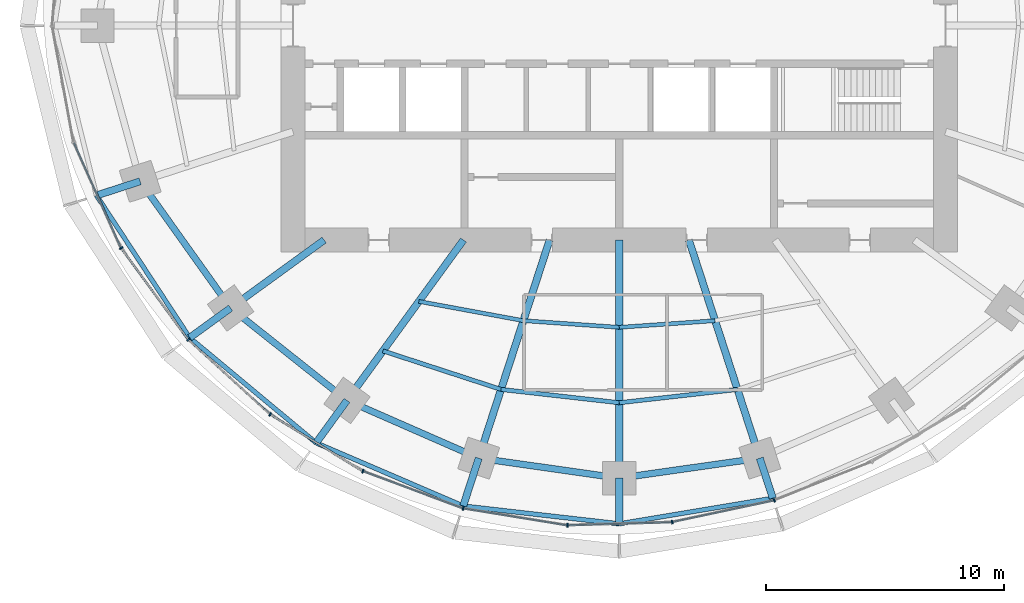
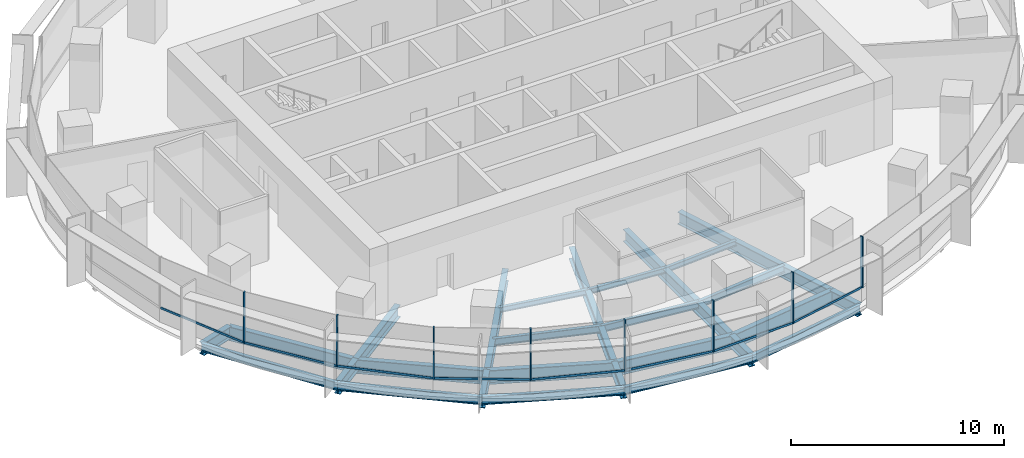
# One storey, part 2 of 14: 27 beams, 16 members, 2 elements without a shape of their own.
"""IFC4 building model written with IfcOpenShell, lengths in metres."""

import ifcopenshell
import ifcopenshell.guid

model = None  # the IFC model being written
_history = None  # IfcOwnerHistory: only IFC2X3 demands one
_inside = {}  # id of a spatial element -> (the spatial element, [elements in it])
_under = {}  # id of a project, library or spatial element -> (it, [spatial elements below it])
_declared = {}  # id of a project -> (the project, [libraries it declares])
_typed = {}  # id of a type object -> (the type object, [elements of that type])
_made_of = {}  # id of a material, layer set ... -> (it, [elements and type objects made of it])


def new_model(schema):
    """Start an empty IFC model of exactly this schema.

    Asked for "IFC4X3", IfcOpenShell would pick the latest addendum, in which some entities
    have other attributes; the version numbers below select the first issue.
    IFC2X3 requires an IfcOwnerHistory on every rooted entity: one is made here for all.
    """
    global model, _history
    if schema == "IFC4X3":
        model = ifcopenshell.file(schema_version=(4, 3, 0, 0))
    else:
        model = ifcopenshell.file(schema=schema)
    _inside.clear()
    _under.clear()
    _declared.clear()
    _typed.clear()
    _made_of.clear()
    _history = None
    if model.schema == "IFC2X3":
        org = make("IfcOrganization", Name="unknown")
        user = make(
            "IfcPersonAndOrganization",
            ThePerson=make("IfcPerson", FamilyName="unknown"),
            TheOrganization=org,
        )
        app = make(
            "IfcApplication",
            ApplicationDeveloper=org,
            Version="unknown",
            ApplicationFullName="unknown",
            ApplicationIdentifier="unknown",
        )
        _history = make(
            "IfcOwnerHistory",
            OwningUser=user,
            OwningApplication=app,
            ChangeAction="ADDED",
            CreationDate=0,
        )
    return model


def make(cls, **values):
    """One entity of the class cls with the attributes given. An attribute that is None is left unset."""
    return model.create_entity(
        cls, **{name: value for name, value in values.items() if value is not None}
    )


def rooted(cls, **values):
    """An entity with a GlobalId (a new one), such as an element, a storey or a relation."""
    return make(cls, GlobalId=ifcopenshell.guid.new(), OwnerHistory=_history, **values)


def si_unit(unit_type, name, prefix=None):
    """IfcSIUnit, for example si_unit("LENGTHUNIT", "METRE", prefix="MILLI")."""
    return make("IfcSIUnit", UnitType=unit_type, Prefix=prefix, Name=name)


def assignment(units):
    """IfcUnitAssignment: the units of a project."""
    return None if units is None else make("IfcUnitAssignment", Units=units)


def point(xyz):
    """IfcCartesianPoint."""
    return None if xyz is None else make("IfcCartesianPoint", Coordinates=xyz)


def direction(xyz):
    """IfcDirection."""
    return None if xyz is None else make("IfcDirection", DirectionRatios=xyz)


def frame(location, z_axis=None, x_axis=None):
    """IfcAxis2Placement3D, a coordinate frame: its origin and axes. An axis left out is left unset."""
    return make(
        "IfcAxis2Placement3D",
        Location=point(location),
        Axis=direction(z_axis),
        RefDirection=direction(x_axis),
    )


def frame_2d(location, x_axis=None):
    """IfcAxis2Placement2D, a coordinate frame in the plane: its origin and x axis."""
    return make(
        "IfcAxis2Placement2D", Location=point(location), RefDirection=direction(x_axis)
    )


def origin():
    """The frame at (0, 0, 0) with its axes left unset."""
    return frame((0.0, 0.0, 0.0))


def origin_2d():
    """The frame at (0, 0) in the plane with its x axis left unset."""
    return frame_2d((0.0, 0.0))


def place(relative_to, where):
    """IfcLocalPlacement: puts the frame where relative to a parent placement (None: the world)."""
    return make(
        "IfcLocalPlacement", PlacementRelTo=relative_to, RelativePlacement=where
    )


def context(
    kind, dimensions, precision=None, world=None, true_north=None, identifier=None
):
    """IfcGeometricRepresentationContext, for example the 3D "Model" context."""
    return make(
        "IfcGeometricRepresentationContext",
        ContextIdentifier=identifier,
        ContextType=kind,
        CoordinateSpaceDimension=dimensions,
        Precision=precision,
        WorldCoordinateSystem=world,
        TrueNorth=true_north,
    )


def subcontext(parent, identifier, kind, view, scale=None):
    """IfcGeometricRepresentationSubContext, for example "Body" below "Model"."""
    return make(
        "IfcGeometricRepresentationSubContext",
        ContextIdentifier=identifier,
        ContextType=kind,
        ParentContext=parent,
        TargetScale=scale,
        TargetView=view,
    )


def project(units=None, contexts=None):
    """IfcProject with its units and contexts."""
    return rooted(
        "IfcProject",
        Name="project",
        RepresentationContexts=contexts,
        UnitsInContext=assignment(units),
    )


def spatial(cls, under=None, at=None, **own):
    """A site, building, storey or space (cls), placed at a placement, below another one or the project."""
    s = rooted(cls, ObjectPlacement=at, **own)
    if under is not None:
        _under.setdefault(under.id(), (under, []))[1].append(s)
    return s


def profile(cls, at=None, kind="AREA", **sizes):
    """A parametric profile (cls). Its sizes go by their IFC names, for example OverallWidth=200.0."""
    return make(cls, ProfileType=kind, Position=at, **sizes)


def rectangle(**sizes):
    """IfcRectangleProfileDef."""
    return profile("IfcRectangleProfileDef", **sizes)


def i_section(**sizes):
    """IfcIShapeProfileDef."""
    return profile("IfcIShapeProfileDef", **sizes)


def extrude(swept, where, along, depth):
    """IfcExtrudedAreaSolid: the profile swept, set in the frame where, extruded along a direction by depth."""
    return make(
        "IfcExtrudedAreaSolid",
        SweptArea=swept,
        Position=where,
        ExtrudedDirection=direction(along),
        Depth=depth,
    )


def shape(context_of_items, identifier, shape_type, items):
    """IfcShapeRepresentation: the items that make up one representation, for example the "Body"."""
    return make(
        "IfcShapeRepresentation",
        ContextOfItems=context_of_items,
        RepresentationIdentifier=identifier,
        RepresentationType=shape_type,
        Items=items,
    )


def material(Name=None, Category=None):
    """IfcMaterial."""
    return make("IfcMaterial", Name=Name, Category=Category)


def material_profile(
    of_material, cross_section, Name=None, Category=None, Priority=None
):
    """IfcMaterialProfile: a cross section and its material."""
    return make(
        "IfcMaterialProfile",
        Name=Name,
        Material=of_material,
        Profile=cross_section,
        Priority=Priority,
        Category=Category,
    )


def profile_set(profiles, Name=None, composite=None):
    """IfcMaterialProfileSet."""
    return make(
        "IfcMaterialProfileSet",
        Name=Name,
        MaterialProfiles=profiles,
        CompositeProfile=composite,
    )


def made_of(thing, what):
    """Note that an element or type object is made of a material, layer set ...; save() writes the relation."""
    if what is not None:
        _made_of.setdefault(what.id(), (what, []))[1].append(thing)
    return thing


def type_object(cls, material=None, **own):
    """A type object (cls), such as IfcWallType, which elements share."""
    return made_of(rooted(cls, **own), material)


def element(
    cls,
    number,
    at=None,
    inside=None,
    cuts=None,
    type_object=None,
    material=None,
    context=None,
    identifier="Body",
    shape_type=None,
    held_by="IfcProductDefinitionShape",
    body=None,
    shapes=None,
    **own,
):
    """One element of the class cls, such as IfcWall. Its Tag is "e" and its number.

    at: its placement. inside: the storey or other place that contains it. cuts: it is an
    opening in that element (IfcRelVoidsElement). A single representation is given by context,
    identifier, shape_type and body (its items); several are given by shapes. held_by: the class
    of the entity that holds the representations. save() writes the other relations.
    """
    e = rooted(cls, Tag="e%d" % number, ObjectPlacement=at, **own)
    if body is not None:
        shapes = [shape(context, identifier, shape_type, body)]
    if shapes is not None:
        e.Representation = make(held_by, Representations=shapes)
    if inside is not None:
        _inside.setdefault(inside.id(), (inside, []))[1].append(e)
    if cuts is not None:
        rooted(
            "IfcRelVoidsElement", RelatingBuildingElement=cuts, RelatedOpeningElement=e
        )
    if type_object is not None:
        _typed.setdefault(type_object.id(), (type_object, []))[1].append(e)
    return made_of(e, material)


def aggregate(whole, parts):
    """IfcRelAggregates: a whole, such as a stair, and the parts it consists of."""
    return rooted("IfcRelAggregates", RelatingObject=whole, RelatedObjects=parts)


def save(model, path):
    """Write the relations noted so far, then the file.

    IfcRelAggregates (storeys below a building ...), IfcRelContainedInSpatialStructure (elements
    in a storey), IfcRelDefinesByType, IfcRelAssociatesMaterial and IfcRelDeclares: one each for
    every whole, place, type object, material and project.
    """
    for whole, parts in _under.values():
        aggregate(whole, parts)
    for where, things in _inside.values():
        rooted(
            "IfcRelContainedInSpatialStructure",
            RelatedElements=things,
            RelatingStructure=where,
        )
    for kind, things in _typed.values():
        rooted("IfcRelDefinesByType", RelatedObjects=things, RelatingType=kind)
    for what, things in _made_of.values():
        rooted("IfcRelAssociatesMaterial", RelatedObjects=things, RelatingMaterial=what)
    for by, libraries in _declared.values():
        rooted("IfcRelDeclares", RelatingContext=by, RelatedDefinitions=libraries)
    model.write(path)


model = new_model("IFC4")

# Units and contexts
model_context = context("Model", 3, precision=1e-05, world=origin(), true_north=direction((0.0, 1.0)))
body_context = subcontext(model_context, "Body", "Model", "MODEL_VIEW")
ifc_project = project(units=[si_unit("LENGTHUNIT", "METRE"), si_unit("AREAUNIT", "SQUARE_METRE"), si_unit("VOLUMEUNIT", "CUBIC_METRE"), si_unit("PLANEANGLEUNIT", "RADIAN"), si_unit("MASSUNIT", "GRAM", prefix="KILO")], contexts=[model_context])

# Site, building, storey
site_placement = place(None, origin())
site = spatial("IfcSite", under=ifc_project, at=site_placement, CompositionType="ELEMENT")
building_placement = place(site_placement, origin())
building = spatial("IfcBuilding", under=site, at=building_placement, Name="Marramba Exchange Tower", CompositionType="ELEMENT")
storey_placement = place(building_placement, frame((0.0, 0.0, 215.0)))
storey = spatial("IfcBuildingStorey", under=building, at=storey_placement, Name="L52", CompositionType="ELEMENT", Elevation=215.0)

# Beams
ifc_material_1 = material(Name="Steel AS/NZS 3679.2 grade 300", Category="steel")
ifc_material_profile_1 = material_profile(ifc_material_1, i_section(OverallWidth=0.300048828125, OverallDepth=0.699951171875, WebThickness=0.010009765625, FlangeThickness=0.031982421875, at=origin_2d()), Name="700WB173")
ifc_profile_set_1 = profile_set([ifc_material_profile_1], Name="Steel AS/NZS 3679.2 grade 300")
beam_type_1 = type_object("IfcBeamType", Name="Cantilever girder 700WB173", PredefinedType="BEAM", material=ifc_profile_set_1)
beam_1_placement = place(storey_placement, frame((-20.109375, -6.533935546875, -0.510009765625), z_axis=(-0.951071238541, -0.308971680287, 0.0), x_axis=(0.308971680287, -0.951071238541, 0.0)))
element("IfcBeam", 1, at=beam_1_placement, inside=storey, type_object=beam_type_1, Name="Cantilever girder L52 TC12", PredefinedType="BEAM", context=body_context, shape_type="SweptSolid", body=[
    extrude(i_section(OverallWidth=0.300048828125, OverallDepth=0.699951171875, WebThickness=0.010009765625, FlangeThickness=0.031982421875, at=origin_2d()), origin(), (0.0, 0.0, 1.0), 1.930419921875),
])
beam_2_placement = place(storey_placement, frame((-16.3154296875, -11.853759765625, -0.510009765625), z_axis=(-0.808969966943, -0.587849974555, 0.0), x_axis=(0.587849974555, -0.808969966943, 0.0)))
element("IfcBeam", 2, at=beam_2_placement, inside=storey, type_object=beam_type_1, Name="Cantilever girder L52 TC13", PredefinedType="BEAM", context=body_context, shape_type="SweptSolid", body=[
    extrude(i_section(OverallWidth=0.300048828125, OverallDepth=0.699951171875, WebThickness=0.010009765625, FlangeThickness=0.031982421875, at=origin_2d()), origin(), (0.0, 0.0, 1.0), 2.12109375),
])
beam_3_placement = place(storey_placement, frame((-11.430419921875, -15.732666015625, -0.510009765625), z_axis=(-0.587789596657, -0.809013837992, 0.0), x_axis=(0.809013837992, -0.587789596657, 0.0)))
element("IfcBeam", 3, at=beam_3_placement, inside=storey, type_object=beam_type_1, Name="Cantilever girder L52 TC14", PredefinedType="BEAM", context=body_context, shape_type="SweptSolid", body=[
    extrude(i_section(OverallWidth=0.300048828125, OverallDepth=0.699951171875, WebThickness=0.010009765625, FlangeThickness=0.031982421875, at=origin_2d()), origin(), (0.0, 0.0, 1.0), 2.203857421875),
])
beam_4_placement = place(storey_placement, frame((-5.899658203125, -18.156982421875, -0.510009765625), z_axis=(-0.308971068529, -0.951071437281, 0.0), x_axis=(0.951071437281, -0.308971068529, 0.0)))
element("IfcBeam", 4, at=beam_4_placement, inside=storey, type_object=beam_type_1, Name="Cantilever girder L52 TC15", PredefinedType="BEAM", context=body_context, shape_type="SweptSolid", body=[
    extrude(i_section(OverallWidth=0.300048828125, OverallDepth=0.699951171875, WebThickness=0.010009765625, FlangeThickness=0.031982421875, at=origin_2d()), origin(), (0.0, 0.0, 1.0), 2.112060546875),
])
beam_5_placement = place(storey_placement, frame((0.0, -18.99609375, -0.510009765625), z_axis=(0.0, -1.0, 0.0), x_axis=(1.0, 0.0, 0.0)))
element("IfcBeam", 5, at=beam_5_placement, inside=storey, type_object=beam_type_1, Name="Cantilever girder L52 TC16", PredefinedType="BEAM", context=body_context, shape_type="SweptSolid", body=[
    extrude(i_section(OverallWidth=0.300048828125, OverallDepth=0.699951171875, WebThickness=0.010009765625, FlangeThickness=0.031982421875, at=origin_2d()), origin(), (0.0, 0.0, 1.0), 1.917724609375),
])
beam_6_placement = place(storey_placement, frame((5.899658203125, -18.156982421875, -0.510009765625), z_axis=(0.308926813415, -0.951085813138, 0.0), x_axis=(0.951085813138, 0.308926813415, 0.0)))
element("IfcBeam", 6, at=beam_6_placement, inside=storey, type_object=beam_type_1, Name="Cantilever girder L52 TC17", PredefinedType="BEAM", context=body_context, shape_type="SweptSolid", body=[
    extrude(i_section(OverallWidth=0.300048828125, OverallDepth=0.699951171875, WebThickness=0.010009765625, FlangeThickness=0.031982421875, at=origin_2d()), origin(), (0.0, 0.0, 1.0), 1.767822265625),
])
ifc_material_2 = material(Name="Steel AS/NZS 3679.1 grade 300", Category="steel")
ifc_material_profile_2 = material_profile(ifc_material_2, i_section(OverallWidth=0.166015625, OverallDepth=0.306884765625, WebThickness=0.006591796875, FlangeThickness=0.01171875, FilletRadius=0.011474609375, at=origin_2d()), Name="310UB46.2")
ifc_profile_set_2 = profile_set([ifc_material_profile_2], Name="Steel AS/NZS 3679.1 grade 300")
beam_type_2 = type_object("IfcBeamType", Name="Floor joist 310UB46.2", PredefinedType="JOIST", material=ifc_profile_set_2)
beam_7_placement = place(storey_placement, frame((-8.41162109375, -11.57763671875, -0.3134765625), z_axis=(0.983455754421, -0.181148500119, 0.0), x_axis=(0.181148500119, 0.983455754421, 0.0)))
element("IfcBeam", 7, at=beam_7_placement, inside=storey, type_object=beam_type_2, Name="Joist L52 bay 14 row 1", PredefinedType="JOIST", context=body_context, shape_type="SweptSolid", body=[
    extrude(i_section(OverallWidth=0.166015625, OverallDepth=0.306884765625, WebThickness=0.006591796875, FlangeThickness=0.01171875, FilletRadius=0.011474609375, at=origin_2d()), origin(), (0.0, 0.0, 1.0), 4.4609375),
])
for number, where, z_axis, x_axis, name in (
    (8, (-4.0244140625, -12.3857421875, -0.3134765625), (0.99759625901, -0.069294328838, 0.0), (0.069294328838, 0.99759625901, 0.0), "Joist L52 bay 15 row 1"),
    (9, (0.0, -12.665283203125, -0.3134765625), (0.99759625901, 0.069294328838, 0.0), (-0.069294328838, 0.99759625901, 0.0), "Joist L52 bay 16 row 1"),
):
    element("IfcBeam", number, at=place(storey_placement, frame(where, z_axis=z_axis, x_axis=x_axis)), inside=storey, type_object=beam_type_2, Name=name, PredefinedType="JOIST", context=body_context, shape_type="SweptSolid", body=[
        extrude(i_section(OverallWidth=0.166015625, OverallDepth=0.306884765625, WebThickness=0.006591796875, FlangeThickness=0.01171875, FilletRadius=0.011474609375, at=origin_2d()), origin(), (0.0, 0.0, 1.0), 4.0341796875),
    ])
ifc_material_profile_3 = material_profile(ifc_material_2, i_section(OverallWidth=0.177978515625, OverallDepth=0.406005859375, WebThickness=0.0078125, FlangeThickness=0.0126953125, FilletRadius=0.011474609375, at=origin_2d()), Name="410UB59.7")
ifc_profile_set_3 = profile_set([ifc_material_profile_3], Name="Steel AS/NZS 3679.1 grade 300")
beam_type_3 = type_object("IfcBeamType", Name="Floor joist 410UB59.7", PredefinedType="JOIST", material=ifc_profile_set_3)
beam_8_placement = place(storey_placement, frame((-9.9208984375, -13.655029296875, -0.363037109375), z_axis=(0.950764024931, -0.309915744834, 0.0), x_axis=(0.309915744834, 0.950764024931, 0.0)))
element("IfcBeam", 10, at=beam_8_placement, inside=storey, type_object=beam_type_3, Name="Joist L52 bay 14 row 2", PredefinedType="JOIST", context=body_context, shape_type="SweptSolid", body=[
    extrude(i_section(OverallWidth=0.177978515625, OverallDepth=0.406005859375, WebThickness=0.0078125, FlangeThickness=0.0126953125, FilletRadius=0.011474609375, at=origin_2d()), origin(), (0.0, 0.0, 1.0), 5.2158203125),
])
for number, where, z_axis, x_axis, name in (
    (11, (-4.9619140625, -15.271484375, -0.363037109375), (0.993712018573, -0.111966174106, 0.0), (0.111966174106, 0.993712018573, 0.0), "Joist L52 bay 15 row 2"),
    (12, (0.0, -15.83056640625, -0.363037109375), (0.993712018573, 0.111966174106, 0.0), (-0.111966174106, 0.993712018573, 0.0), "Joist L52 bay 16 row 2"),
):
    element("IfcBeam", number, at=place(storey_placement, frame(where, z_axis=z_axis, x_axis=x_axis)), inside=storey, type_object=beam_type_3, Name=name, PredefinedType="JOIST", context=body_context, shape_type="SweptSolid", body=[
        extrude(i_section(OverallWidth=0.177978515625, OverallDepth=0.406005859375, WebThickness=0.0078125, FlangeThickness=0.0126953125, FilletRadius=0.011474609375, at=origin_2d()), origin(), (0.0, 0.0, 1.0), 4.993408203125),
    ])

# Curtain wall, members
ifc_material_3 = material(Name="Aluminium framing, bronze anodised", Category="aluminium")
curtain_wall_type = type_object("IfcCurtainWallType", Name="Office ribbon curtain wall", PredefinedType="USERDEFINED", material=ifc_material_3)
curtain_wall_1_placement = place(storey_placement, origin())
curtain_wall_1 = element("IfcCurtainWall", 13, at=curtain_wall_1_placement, inside=storey, type_object=curtain_wall_type, Name="Curtain wall CW4 L52 F16-F20", ObjectType="RIBBON CURTAIN WALL", PredefinedType="USERDEFINED")
ifc_material_4 = material(Name="Aluminium mullion, bronze anodised", Category="aluminium")
ifc_material_profile_4 = material_profile(ifc_material_4, rectangle(XDim=0.159912109375, YDim=0.06005859375, at=origin_2d()), Name="CW4 mullion 60x160")
ifc_profile_set_4 = profile_set([ifc_material_profile_4], Name="Aluminium mullion, bronze anodised")
member_type_1 = type_object("IfcMemberType", Name="Office ribbon curtain wall mullion", PredefinedType="MULLION", material=ifc_profile_set_4)
member_1_placement = place(storey_placement, frame((-20.910400390625, -9.342041015625, 0.800048828125), z_axis=(0.0, 0.0, 1.0), x_axis=(0.806508054547, 0.591223103363, 0.0)))
member_1 = element("IfcMember", 14, at=member_1_placement, type_object=member_type_1, Name="CW4 mullion 1", PredefinedType="MULLION", context=body_context, shape_type="SweptSolid", body=[
    extrude(rectangle(XDim=0.159912109375, YDim=0.06005859375, at=origin_2d()), origin(), (0.0, 0.0, 1.0), 2.93994140625),
])
member_2_placement = place(storey_placement, frame((-18.090087890625, -13.179443359375, 0.800048828125), z_axis=(0.0, 0.0, 1.0), x_axis=(0.67567103474, 0.737203264245, 0.0)))
member_2 = element("IfcMember", 15, at=member_2_placement, type_object=member_type_1, Name="CW4 mullion 1", PredefinedType="MULLION", context=body_context, shape_type="SweptSolid", body=[
    extrude(rectangle(XDim=0.159912109375, YDim=0.06005859375, at=origin_2d()), origin(), (0.0, 0.0, 1.0), 2.93994140625),
])
member_3_placement = place(storey_placement, frame((-14.655029296875, -16.320068359375, 0.800048828125), z_axis=(0.0, 0.0, 1.0), x_axis=(0.52305160869, 0.85230101176, 0.0)))
member_3 = element("IfcMember", 16, at=member_3_placement, type_object=member_type_1, Name="CW4 mullion 1", PredefinedType="MULLION", context=body_context, shape_type="SweptSolid", body=[
    extrude(rectangle(XDim=0.159912109375, YDim=0.06005859375, at=origin_2d()), origin(), (0.0, 0.0, 1.0), 2.93994140625),
])

curtain_wall_2_placement = place(storey_placement, origin())
curtain_wall_2 = element("IfcCurtainWall", 17, at=curtain_wall_2_placement, inside=storey, type_object=curtain_wall_type, Name="Curtain wall CW4 L52 F21-F25", ObjectType="RIBBON CURTAIN WALL", PredefinedType="USERDEFINED")
member_4_placement = place(storey_placement, frame((-10.76318359375, -18.70166015625, 0.800048828125), z_axis=(0.0, 0.0, 1.0), x_axis=(0.349459197687, 0.936951583142, 0.0)))
member_4 = element("IfcMember", 18, at=member_4_placement, type_object=member_type_1, Name="CW4 mullion 1", PredefinedType="MULLION", context=body_context, shape_type="SweptSolid", body=[
    extrude(rectangle(XDim=0.159912109375, YDim=0.06005859375, at=origin_2d()), origin(), (0.0, 0.0, 1.0), 2.93994140625),
])
member_5_placement = place(storey_placement, frame((-6.553466796875, -20.265625, 0.800048828125), z_axis=(0.0, 0.0, 1.0), x_axis=(0.161145726194, 0.986930623159, 0.0)))
member_5 = element("IfcMember", 19, at=member_5_placement, type_object=member_type_1, Name="CW4 mullion 1", PredefinedType="MULLION", context=body_context, shape_type="SweptSolid", body=[
    extrude(rectangle(XDim=0.159912109375, YDim=0.06005859375, at=origin_2d()), origin(), (0.0, 0.0, 1.0), 2.93994140625),
])
member_6_placement = place(storey_placement, frame((-2.174560546875, -20.974853515625, 0.800048828125), z_axis=(0.0, 0.0, 1.0), x_axis=(-0.029393451762, 0.99956791915, 0.0)))
member_6 = element("IfcMember", 20, at=member_6_placement, type_object=member_type_1, Name="CW4 mullion 1", PredefinedType="MULLION", context=body_context, shape_type="SweptSolid", body=[
    extrude(rectangle(XDim=0.159912109375, YDim=0.06005859375, at=origin_2d()), origin(), (0.0, 0.0, 1.0), 2.93994140625),
])
member_7_placement = place(storey_placement, frame((2.220458984375, -20.840087890625, 0.800048828125), z_axis=(0.0, 0.0, 1.0), x_axis=(-0.208332456608, 0.978058069607, 0.0)))
member_7 = element("IfcMember", 21, at=member_7_placement, type_object=member_type_1, Name="CW4 mullion 1", PredefinedType="MULLION", context=body_context, shape_type="SweptSolid", body=[
    extrude(rectangle(XDim=0.159912109375, YDim=0.06005859375, at=origin_2d()), origin(), (0.0, 0.0, 1.0), 2.93994140625),
])
member_8_placement = place(storey_placement, frame((6.504638671875, -19.922607421875, 0.800048828125), z_axis=(0.0, 0.0, 1.0), x_axis=(-0.367374724195, 0.93007301435, 0.0)))
member_8 = element("IfcMember", 22, at=member_8_placement, type_object=member_type_1, Name="CW4 mullion 1", PredefinedType="MULLION", context=body_context, shape_type="SweptSolid", body=[
    extrude(rectangle(XDim=0.159912109375, YDim=0.06005859375, at=origin_2d()), origin(), (0.0, 0.0, 1.0), 2.93994140625),
])

# Member
ifc_material_5 = material(Name="Aluminium transom, bronze anodised", Category="aluminium")
ifc_material_profile_5 = material_profile(ifc_material_5, rectangle(XDim=0.06005859375, YDim=0.1201171875, at=origin_2d()), Name="CW4 transom 60x120")
ifc_profile_set_5 = profile_set([ifc_material_profile_5], Name="Aluminium transom, bronze anodised")
member_type_2 = type_object("IfcMemberType", Name="Office ribbon curtain wall transom", PredefinedType="USERDEFINED", material=ifc_profile_set_5)
member_9_placement = place(storey_placement, frame((-22.888671875, -4.925048828125, 0.830078125), z_axis=(0.407541263131, -0.913186792965, 0.0), x_axis=(0.913186792965, 0.407541263131, 0.0)))
member_9 = element("IfcMember", 23, at=member_9_placement, type_object=member_type_2, Name="CW4 sill transom", ObjectType="TRANSOM", PredefinedType="USERDEFINED", context=body_context, shape_type="SweptSolid", body=[
    extrude(rectangle(XDim=0.06005859375, YDim=0.1201171875, at=origin_2d()), origin(), (0.0, 0.0, 1.0), 4.810546875),
])

member_10_placement = place(storey_placement, frame((-20.892578125, -9.3662109375, 0.830078125), z_axis=(0.591226373184, -0.806505657545, 0.0), x_axis=(0.806505657545, 0.591226373184, 0.0)))
member_10 = element("IfcMember", 24, at=member_10_placement, type_object=member_type_2, Name="CW4 sill transom", ObjectType="TRANSOM", PredefinedType="USERDEFINED", context=body_context, shape_type="SweptSolid", body=[
    extrude(rectangle(XDim=0.06005859375, YDim=0.1201171875, at=origin_2d()), origin(), (0.0, 0.0, 1.0), 4.702880859375),
])

member_11_placement = place(storey_placement, frame((-18.06787109375, -13.19970703125, 0.830078125), z_axis=(0.737176195283, -0.675700567639, 0.0), x_axis=(0.675700567639, 0.737176195283, 0.0)))
member_11 = element("IfcMember", 25, at=member_11_placement, type_object=member_type_2, Name="CW4 sill transom", ObjectType="TRANSOM", PredefinedType="USERDEFINED", context=body_context, shape_type="SweptSolid", body=[
    extrude(rectangle(XDim=0.06005859375, YDim=0.1201171875, at=origin_2d()), origin(), (0.0, 0.0, 1.0), 4.5947265625),
])

member_12_placement = place(storey_placement, frame((-14.62939453125, -16.335693359375, 0.830078125), z_axis=(0.852298011003, -0.523056498325, 0.0), x_axis=(0.523056498325, 0.852298011003, 0.0)))
member_12 = element("IfcMember", 26, at=member_12_placement, type_object=member_type_2, Name="CW4 sill transom", ObjectType="TRANSOM", PredefinedType="USERDEFINED", context=body_context, shape_type="SweptSolid", body=[
    extrude(rectangle(XDim=0.06005859375, YDim=0.1201171875, at=origin_2d()), origin(), (0.0, 0.0, 1.0), 4.503173828125),
])

aggregate(curtain_wall_1, [member_9, member_1, member_10, member_2, member_11, member_3, member_12])

member_13_placement = place(storey_placement, frame((-10.735107421875, -18.712158203125, 0.830078125), z_axis=(0.936954830677, -0.349450490444, 0.0), x_axis=(0.349450490444, 0.936954830677, 0.0)))
member_13 = element("IfcMember", 27, at=member_13_placement, type_object=member_type_2, Name="CW4 sill transom", ObjectType="TRANSOM", PredefinedType="USERDEFINED", context=body_context, shape_type="SweptSolid", body=[
    extrude(rectangle(XDim=0.06005859375, YDim=0.1201171875, at=origin_2d()), origin(), (0.0, 0.0, 1.0), 4.431396484375),
])

member_14_placement = place(storey_placement, frame((-6.52392578125, -20.2705078125, 0.830078125), z_axis=(0.986937225488, -0.161105285282, 0.0), x_axis=(0.161105285282, 0.986937225488, 0.0)))
member_14 = element("IfcMember", 28, at=member_14_placement, type_object=member_type_2, Name="CW4 sill transom", ObjectType="TRANSOM", PredefinedType="USERDEFINED", context=body_context, shape_type="SweptSolid", body=[
    extrude(rectangle(XDim=0.06005859375, YDim=0.1201171875, at=origin_2d()), origin(), (0.0, 0.0, 1.0), 4.37646484375),
])

member_15_placement = place(storey_placement, frame((-2.144775390625, -20.973876953125, 0.830078125), z_axis=(0.999568338005, 0.029379204529, 0.0), x_axis=(-0.029379204529, 0.999568338005, 0.0)))
member_15 = element("IfcMember", 29, at=member_15_placement, type_object=member_type_2, Name="CW4 sill transom", ObjectType="TRANSOM", PredefinedType="USERDEFINED", context=body_context, shape_type="SweptSolid", body=[
    extrude(rectangle(XDim=0.06005859375, YDim=0.1201171875, at=origin_2d()), origin(), (0.0, 0.0, 1.0), 4.337890625),
])

member_16_placement = place(storey_placement, frame((2.249755859375, -20.833984375, 0.830078125), z_axis=(0.978057951839, 0.208333009494, 0.0), x_axis=(-0.208333009494, 0.978057951839, 0.0)))
member_16 = element("IfcMember", 30, at=member_16_placement, type_object=member_type_2, Name="CW4 sill transom", ObjectType="TRANSOM", PredefinedType="USERDEFINED", context=body_context, shape_type="SweptSolid", body=[
    extrude(rectangle(XDim=0.06005859375, YDim=0.1201171875, at=origin_2d()), origin(), (0.0, 0.0, 1.0), 4.32177734375),
])

aggregate(curtain_wall_2, [member_4, member_13, member_5, member_14, member_6, member_15, member_7, member_16, member_8])

# Beams
ifc_material_profile_6 = material_profile(ifc_material_1, i_section(OverallWidth=0.300048828125, OverallDepth=0.699951171875, WebThickness=0.010009765625, FlangeThickness=0.031982421875, at=origin_2d()), Name="700WB173")
ifc_profile_set_6 = profile_set([ifc_material_profile_6], Name="Steel AS/NZS 3679.2 grade 300")
beam_type_4 = type_object("IfcBeamType", Name="Radial girder 700WB173", PredefinedType="BEAM", material=ifc_profile_set_6)
beam_9_placement = place(storey_placement, frame((-12.387451171875, -9.0, -0.510009765625), z_axis=(-0.809025189606, -0.58777397236, 0.0), x_axis=(0.58777397236, -0.809025189606, 0.0)))
element("IfcBeam", 31, at=beam_9_placement, inside=storey, type_object=beam_type_4, Name="Radial girder L52 TC13", PredefinedType="BEAM", context=body_context, shape_type="SweptSolid", body=[
    extrude(i_section(OverallWidth=0.300048828125, OverallDepth=0.699951171875, WebThickness=0.010009765625, FlangeThickness=0.031982421875, at=origin_2d()), origin(), (0.0, 0.0, 1.0), 4.855224609375),
])
beam_10_placement = place(storey_placement, frame((-6.538818359375, -9.0, -0.510009765625), z_axis=(-0.587787877172, -0.809015087282, 0.0), x_axis=(0.809015087282, -0.587787877172, 0.0)))
element("IfcBeam", 32, at=beam_10_placement, inside=storey, type_object=beam_type_4, Name="Radial girder L52 TC14", PredefinedType="BEAM", context=body_context, shape_type="SweptSolid", body=[
    extrude(i_section(OverallWidth=0.300048828125, OverallDepth=0.699951171875, WebThickness=0.010009765625, FlangeThickness=0.031982421875, at=origin_2d()), origin(), (0.0, 0.0, 1.0), 8.322021484375),
])
beam_11_placement = place(storey_placement, frame((-2.92431640625, -9.0, -0.510009765625), z_axis=(-0.309022428985, -0.951054750466, 0.0), x_axis=(0.951054750466, -0.309022428985, 0.0)))
element("IfcBeam", 33, at=beam_11_placement, inside=storey, type_object=beam_type_4, Name="Radial girder L52 TC15", PredefinedType="BEAM", context=body_context, shape_type="SweptSolid", body=[
    extrude(i_section(OverallWidth=0.300048828125, OverallDepth=0.699951171875, WebThickness=0.010009765625, FlangeThickness=0.031982421875, at=origin_2d()), origin(), (0.0, 0.0, 1.0), 9.628173828125),
])
beam_12_placement = place(storey_placement, frame((0.0, -9.0, -0.510009765625), z_axis=(0.0, -1.0, 0.0), x_axis=(1.0, 0.0, 0.0)))
element("IfcBeam", 34, at=beam_12_placement, inside=storey, type_object=beam_type_4, Name="Radial girder L52 TC16", PredefinedType="BEAM", context=body_context, shape_type="SweptSolid", body=[
    extrude(i_section(OverallWidth=0.300048828125, OverallDepth=0.699951171875, WebThickness=0.010009765625, FlangeThickness=0.031982421875, at=origin_2d()), origin(), (0.0, 0.0, 1.0), 9.99609375),
])
beam_13_placement = place(storey_placement, frame((2.92431640625, -9.0, -0.510009765625), z_axis=(0.309022428985, -0.951054750466, 0.0), x_axis=(0.951054750466, 0.309022428985, 0.0)))
element("IfcBeam", 35, at=beam_13_placement, inside=storey, type_object=beam_type_4, Name="Radial girder L52 TC17", PredefinedType="BEAM", context=body_context, shape_type="SweptSolid", body=[
    extrude(i_section(OverallWidth=0.300048828125, OverallDepth=0.699951171875, WebThickness=0.010009765625, FlangeThickness=0.031982421875, at=origin_2d()), origin(), (0.0, 0.0, 1.0), 9.628173828125),
])
ifc_material_profile_7 = material_profile(ifc_material_1, i_section(OverallWidth=0.27490234375, OverallDepth=0.800048828125, WebThickness=0.010009765625, FlangeThickness=0.02490234375, at=origin_2d()), Name="800WB168")
ifc_profile_set_7 = profile_set([ifc_material_profile_7], Name="Steel AS/NZS 3679.2 grade 300")
beam_type_5 = type_object("IfcBeamType", Name="Ring beam 800WB168", PredefinedType="SPANDREL", material=ifc_profile_set_7)
beam_14_placement = place(storey_placement, frame((-20.109375, -6.533935546875, -0.56005859375), z_axis=(0.580637181111, -0.814162430914, 0.0), x_axis=(0.814162430914, 0.580637181111, 0.0)))
element("IfcBeam", 36, at=beam_14_placement, inside=storey, type_object=beam_type_5, Name="Ring beam L52 TC12-TC13", PredefinedType="SPANDREL", context=body_context, shape_type="SweptSolid", body=[
    extrude(i_section(OverallWidth=0.27490234375, OverallDepth=0.800048828125, WebThickness=0.010009765625, FlangeThickness=0.02490234375, at=origin_2d()), origin(), (0.0, 0.0, 1.0), 6.5341796875),
])
beam_15_placement = place(storey_placement, frame((-16.3154296875, -11.853759765625, -0.56005859375), z_axis=(0.783139438128, -0.621846138887, 0.0), x_axis=(0.621846138887, 0.783139438128, 0.0)))
element("IfcBeam", 37, at=beam_15_placement, inside=storey, type_object=beam_type_5, Name="Ring beam L52 TC13-TC14", PredefinedType="SPANDREL", context=body_context, shape_type="SweptSolid", body=[
    extrude(i_section(OverallWidth=0.27490234375, OverallDepth=0.800048828125, WebThickness=0.010009765625, FlangeThickness=0.02490234375, at=origin_2d()), origin(), (0.0, 0.0, 1.0), 6.23779296875),
])
beam_16_placement = place(storey_placement, frame((-11.430419921875, -15.732666015625, -0.56005859375), z_axis=(0.915876892158, -0.4014592363, 0.0), x_axis=(0.4014592363, 0.915876892158, 0.0)))
element("IfcBeam", 38, at=beam_16_placement, inside=storey, type_object=beam_type_5, Name="Ring beam L52 TC14-TC15", PredefinedType="SPANDREL", context=body_context, shape_type="SweptSolid", body=[
    extrude(i_section(OverallWidth=0.27490234375, OverallDepth=0.800048828125, WebThickness=0.010009765625, FlangeThickness=0.02490234375, at=origin_2d()), origin(), (0.0, 0.0, 1.0), 6.038818359375),
])
for number, where, z_axis, x_axis, name in (
    (39, (-5.899658203125, -18.156982421875, -0.56005859375), (0.990036163016, -0.140813337152, 0.0), (0.140813337152, 0.990036163016, 0.0), "Ring beam L52 TC15-TC16"),
    (40, (0.0, -18.99609375, -0.56005859375), (0.990036163016, 0.140813337152, 0.0), (-0.140813337152, 0.990036163016, 0.0), "Ring beam L52 TC16-TC17"),
):
    element("IfcBeam", number, at=place(storey_placement, frame(where, z_axis=z_axis, x_axis=x_axis)), inside=storey, type_object=beam_type_5, Name=name, PredefinedType="SPANDREL", context=body_context, shape_type="SweptSolid", body=[
        extrude(i_section(OverallWidth=0.27490234375, OverallDepth=0.800048828125, WebThickness=0.010009765625, FlangeThickness=0.02490234375, at=origin_2d()), origin(), (0.0, 0.0, 1.0), 5.958984375),
    ])
ifc_material_profile_8 = material_profile(ifc_material_2, i_section(OverallWidth=0.19091796875, OverallDepth=0.4599609375, WebThickness=0.010009765625, FlangeThickness=0.01611328125, FilletRadius=0.011474609375, at=origin_2d()), Name="460UB82.1")
ifc_profile_set_8 = profile_set([ifc_material_profile_8], Name="Steel AS/NZS 3679.1 grade 300")
beam_type_6 = type_object("IfcBeamType", Name="Slab edge beam 460UB82.1", PredefinedType="SPANDREL", material=ifc_profile_set_8)
beam_17_placement = place(storey_placement, frame((-21.9453125, -7.13037109375, -0.389892578125), z_axis=(0.548275412052, -0.83629783722, 0.0), x_axis=(0.83629783722, 0.548275412052, 0.0)))
element("IfcBeam", 41, at=beam_17_placement, inside=storey, type_object=beam_type_6, Name="Slab edge beam L52 TC12-TC13", PredefinedType="SPANDREL", context=body_context, shape_type="SweptSolid", body=[
    extrude(i_section(OverallWidth=0.19091796875, OverallDepth=0.4599609375, WebThickness=0.010009765625, FlangeThickness=0.01611328125, FilletRadius=0.011474609375, at=origin_2d()), origin(), (0.0, 0.0, 1.0), 7.138916015625),
])
beam_18_placement = place(storey_placement, frame((-18.03125, -13.1005859375, -0.389892578125), z_axis=(0.768658895231, -0.639658895649, 0.0), x_axis=(0.639658895649, 0.768658895231, 0.0)))
element("IfcBeam", 42, at=beam_18_placement, inside=storey, type_object=beam_type_6, Name="Slab edge beam L52 TC13-TC14", PredefinedType="SPANDREL", context=body_context, shape_type="SweptSolid", body=[
    extrude(i_section(OverallWidth=0.19091796875, OverallDepth=0.4599609375, WebThickness=0.010009765625, FlangeThickness=0.01611328125, FilletRadius=0.011474609375, at=origin_2d()), origin(), (0.0, 0.0, 1.0), 6.902099609375),
])
beam_19_placement = place(storey_placement, frame((-12.725830078125, -17.515625, -0.389892578125), z_axis=(0.9189117964, -0.394463065999, 0.0), x_axis=(0.394463065999, 0.9189117964, 0.0)))
element("IfcBeam", 43, at=beam_19_placement, inside=storey, type_object=beam_type_6, Name="Slab edge beam L52 TC14-TC15", PredefinedType="SPANDREL", context=body_context, shape_type="SweptSolid", body=[
    extrude(i_section(OverallWidth=0.19091796875, OverallDepth=0.4599609375, WebThickness=0.010009765625, FlangeThickness=0.01611328125, FilletRadius=0.011474609375, at=origin_2d()), origin(), (0.0, 0.0, 1.0), 6.71826171875),
])
beam_20_placement = place(storey_placement, frame((-6.55224609375, -20.165771484375, -0.389892578125), z_axis=(0.993546030009, -0.113429653325, 0.0), x_axis=(0.113429653325, 0.993546030009, 0.0)))
element("IfcBeam", 44, at=beam_20_placement, inside=storey, type_object=beam_type_6, Name="Slab edge beam L52 TC15-TC16", PredefinedType="SPANDREL", context=body_context, shape_type="SweptSolid", body=[
    extrude(i_section(OverallWidth=0.19091796875, OverallDepth=0.4599609375, WebThickness=0.010009765625, FlangeThickness=0.01611328125, FilletRadius=0.011474609375, at=origin_2d()), origin(), (0.0, 0.0, 1.0), 6.5947265625),
])
beam_21_placement = place(storey_placement, frame((0.0, -20.913818359375, -0.389892578125), z_axis=(0.986365637189, 0.164568617219, 0.0), x_axis=(-0.164568617219, 0.986365637189, 0.0)))
element("IfcBeam", 45, at=beam_21_placement, inside=storey, type_object=beam_type_6, Name="Slab edge beam L52 TC16-TC17", PredefinedType="SPANDREL", context=body_context, shape_type="SweptSolid", body=[
    extrude(i_section(OverallWidth=0.19091796875, OverallDepth=0.4599609375, WebThickness=0.010009765625, FlangeThickness=0.01611328125, FilletRadius=0.011474609375, at=origin_2d()), origin(), (0.0, 0.0, 1.0), 6.534912109375),
])

save(model, "model.ifc")
